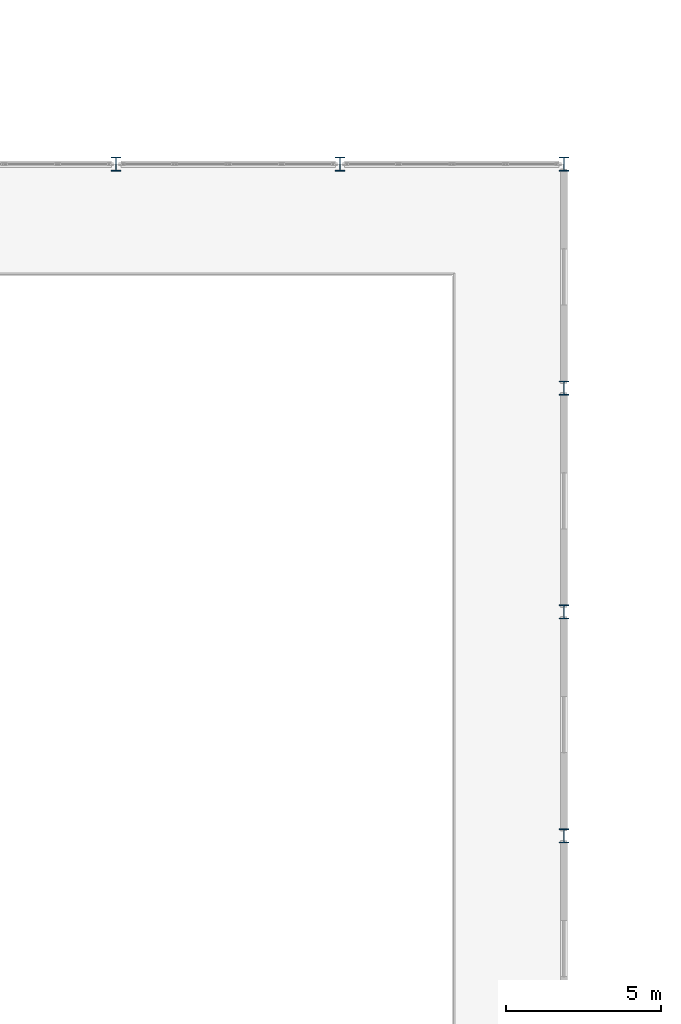
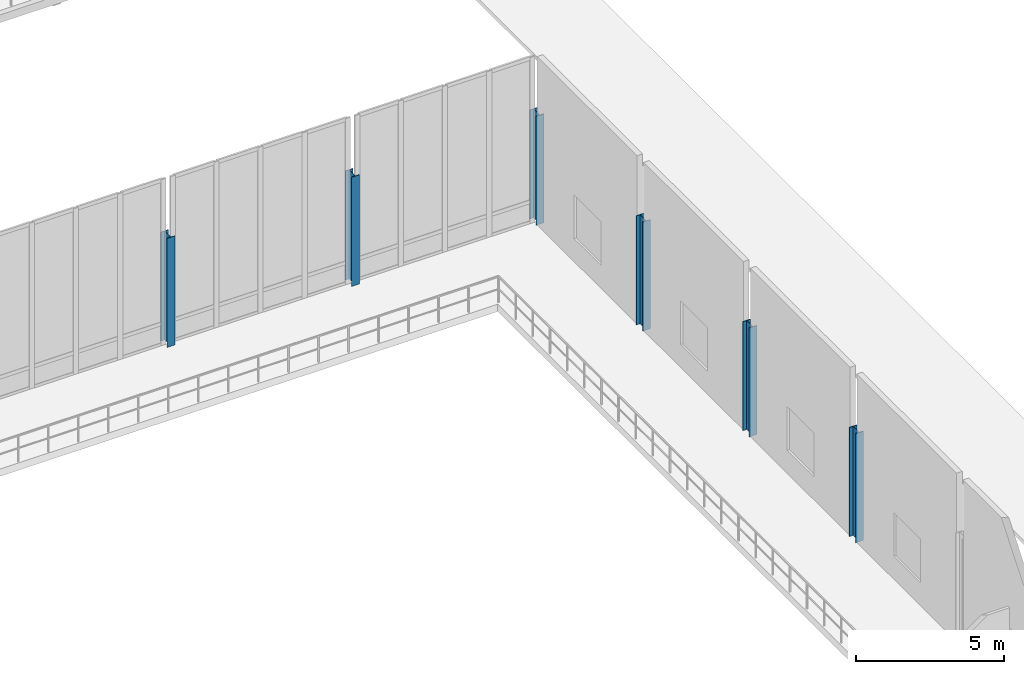
# One storey, part 8 of 110: 6 columns.
"""IFC4 building model written with IfcOpenShell, lengths in metres."""

from ifc_helpers import new_model, si_unit, direction, frame, origin, origin_2d, place, context, subcontext, project, spatial, i_section, extrude, material, material_profile, profile_set, type_object, element, save


model = new_model("IFC4")

# Units and contexts
model_context = context("Model", 3, precision=1e-05, world=origin(), true_north=direction((0.0, 1.0)))
body_context = subcontext(model_context, "Body", "Model", "MODEL_VIEW")
ifc_project = project(units=[si_unit("LENGTHUNIT", "METRE"), si_unit("AREAUNIT", "SQUARE_METRE"), si_unit("VOLUMEUNIT", "CUBIC_METRE"), si_unit("PLANEANGLEUNIT", "RADIAN"), si_unit("MASSUNIT", "GRAM", prefix="KILO")], contexts=[model_context])

# Site, building, storey
site_placement = place(None, origin())
site = spatial("IfcSite", under=ifc_project, at=site_placement, CompositionType="ELEMENT")
building_placement = place(site_placement, origin())
building = spatial("IfcBuilding", under=site, at=building_placement, Name="Suanplinth Sawtooth Commons", CompositionType="ELEMENT")
storey_placement = place(building_placement, frame((0.0, 0.0, 4.5)))
storey = spatial("IfcBuildingStorey", under=building, at=storey_placement, Name="L01", CompositionType="ELEMENT", Elevation=4.5)

# Columns
ifc_material = material(Name="Steel S355JR", Category="steel")
ifc_material_profile = material_profile(ifc_material, i_section(OverallWidth=0.300048828125, OverallDepth=0.449951171875, WebThickness=0.013916015625, FlangeThickness=0.02587890625, at=origin_2d()), Name="HEB 450")
ifc_profile_set = profile_set([ifc_material_profile], Name="Steel S355JR")
column_type = type_object("IfcColumnType", Name="C-09", PredefinedType="COLUMN", material=ifc_profile_set)
for number, where, z_axis, x_axis, name in (
    (1, (100.800048828125, 86.39990234375, 0.0), (0.0, 0.0, 1.0), (1.0, 0.0, 0.0), "Column L01 15/N"),
    (2, (108.0, 86.39990234375, 0.0), (0.0, 0.0, 1.0), (1.0, 0.0, 0.0), "Column L01 16/N"),
    (3, (115.199951171875, 64.800048828125, 0.0), (0.0, 0.0, 1.0), (1.0, 0.0, 0.0), "Column L01 17/K"),
    (4, (115.199951171875, 72.0, 0.0), (0.0, 0.0, 1.0), (1.0, 0.0, 0.0), "Column L01 17/L"),
    (5, (115.199951171875, 79.199951171875, 0.0), (0.0, 0.0, 1.0), (1.0, 0.0, 0.0), "Column L01 17/M"),
    (6, (115.199951171875, 86.39990234375, 0.0), (0.0, 0.0, 1.0), (1.0, 0.0, 0.0), "Column L01 17/N"),
):
    element("IfcColumn", number, at=place(storey_placement, frame(where, z_axis=z_axis, x_axis=x_axis)), inside=storey, type_object=column_type, Name=name, PredefinedType="COLUMN", context=body_context, shape_type="SweptSolid", body=[
        extrude(i_section(OverallWidth=0.300048828125, OverallDepth=0.449951171875, WebThickness=0.013916015625, FlangeThickness=0.02587890625, at=origin_2d()), origin(), (0.0, 0.0, 1.0), 4.5),
    ])

save(model, "model.ifc")
